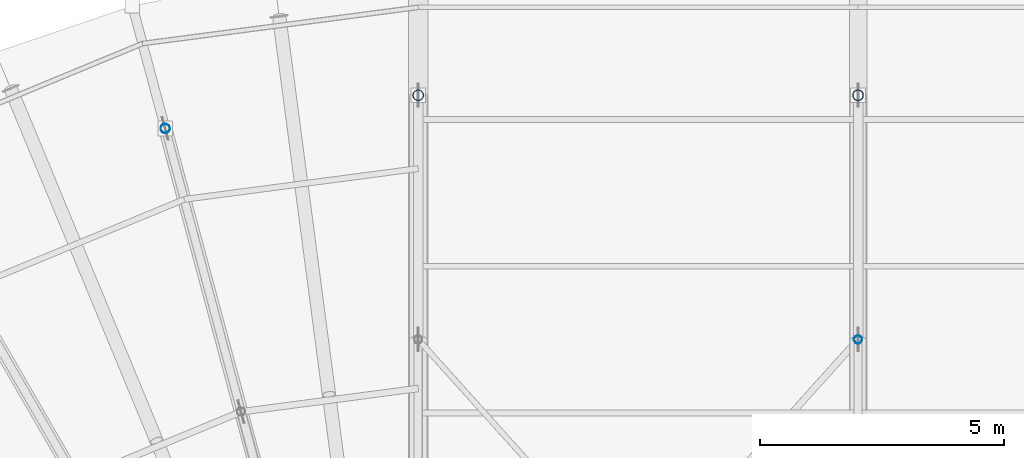
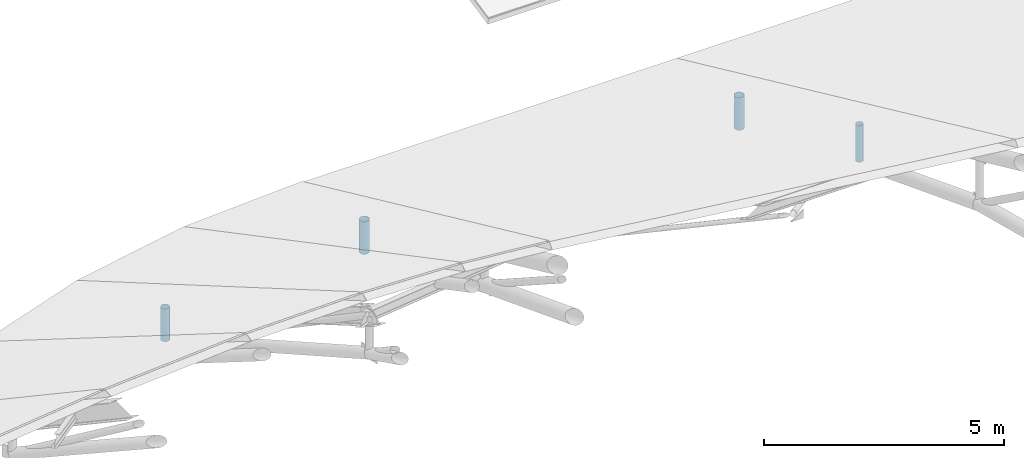
# One storey, part 77 of 107: 4 members.
"""IFC4 building model written with IfcOpenShell, lengths in metres."""

from ifc_helpers import new_model, si_unit, derived_unit, direction, frame, origin, origin_2d, place, context, subcontext, project, spatial, hollow_circle, extrude, material, material_profile, profile_set, type_object, element, save


model = new_model("IFC4")

# Units and contexts
model_context = context("Model", 3, precision=1e-05, world=origin(), true_north=direction((0.0, 1.0)))
body_context = subcontext(model_context, "Body", "Model", "MODEL_VIEW")
ifc_project = project(units=[si_unit("LENGTHUNIT", "METRE"), si_unit("AREAUNIT", "SQUARE_METRE"), si_unit("VOLUMEUNIT", "CUBIC_METRE"), si_unit("PLANEANGLEUNIT", "RADIAN"), si_unit("MASSUNIT", "GRAM", prefix="KILO"), si_unit("THERMODYNAMICTEMPERATUREUNIT", "KELVIN"), si_unit("TIMEUNIT", "SECOND"), derived_unit("THERMALTRANSMITTANCEUNIT", [(si_unit("MASSUNIT", "GRAM", prefix="KILO"), 1), (si_unit("THERMODYNAMICTEMPERATUREUNIT", "KELVIN"), -1), (si_unit("TIMEUNIT", "SECOND"), -3)])], contexts=[model_context])

# Site, building, storey
site_placement = place(None, origin())
site = spatial("IfcSite", under=ifc_project, at=site_placement, CompositionType="ELEMENT")
building_placement = place(site_placement, origin())
building = spatial("IfcBuilding", under=site, at=building_placement, Name="Cambertide Market Hall", CompositionType="ELEMENT")
storey_placement = place(building_placement, frame((0.0, 0.0, 18.300048828125)))
storey = spatial("IfcBuildingStorey", under=building, at=storey_placement, Name="RF", CompositionType="ELEMENT", Elevation=18.300048828125)

# Members
ifc_material_1 = material(Name="Steel S355", Category="steel")
ifc_material_profile_1 = material_profile(ifc_material_1, hollow_circle(Radius=0.084228515625, WallThickness=0.00634765625, at=origin_2d()), Name="CHS 168.3x6.3")
ifc_profile_set_1 = profile_set([ifc_material_profile_1], Name="Steel S355")
member_type_1 = type_object("IfcMemberType", Name="Structural Brace CHS 168.3x6.3", PredefinedType="BRACE", material=ifc_profile_set_1)
member_1_placement = place(storey_placement, frame((51.0, 87.0, -8.1767578125), z_axis=(0.0, 0.0, 1.0), x_axis=(1.0, 0.0, 0.0)))
element("IfcMember", 1, at=member_1_placement, inside=storey, type_object=member_type_1, Name="Roof Truss 2 Web Post 8", PredefinedType="BRACE", context=body_context, shape_type="SweptSolid", body=[
    extrude(hollow_circle(Radius=0.084228515625, WallThickness=0.00634765625, at=origin_2d()), origin(), (0.0, 0.0, 1.0), 0.9267578125),
])
ifc_material_2 = material(Name="Steel S355", Category="steel")
ifc_material_profile_2 = material_profile(ifc_material_2, hollow_circle(Radius=0.096923828125, WallThickness=0.00634765625, at=origin_2d()), Name="CHS 193.7x6.3")
ifc_profile_set_2 = profile_set([ifc_material_profile_2], Name="Steel S355")
member_type_2 = type_object("IfcMemberType", Name="Structural Brace CHS 193.7x6.3", PredefinedType="BRACE", material=ifc_profile_set_2)
member_2_placement = place(storey_placement, frame((36.82373046875, 91.318603515625, -10.380126953125), z_axis=(0.0, 0.0, 1.0), x_axis=(1.0, 0.0, 0.0)))
element("IfcMember", 2, at=member_2_placement, inside=storey, type_object=member_type_2, Name="RWV-W-02-V3", PredefinedType="BRACE", context=body_context, shape_type="SweptSolid", body=[
    extrude(hollow_circle(Radius=0.096923828125, WallThickness=0.00634765625, at=origin_2d()), origin(), (0.0, 0.0, 1.0), 0.830078125),
])
ifc_material_3 = material(Name="Steel S355", Category="steel")
ifc_material_profile_3 = material_profile(ifc_material_3, hollow_circle(Radius=0.109619140625, WallThickness=0.008056640625, at=origin_2d()), Name="CHS 219.1x8")
ifc_profile_set_3 = profile_set([ifc_material_profile_3], Name="Steel S355")
member_type_3 = type_object("IfcMemberType", Name="Structural Brace CHS 219.1x8", PredefinedType="BRACE", material=ifc_profile_set_3)
for number, where, z_axis, x_axis, name in (
    (3, (42.0, 92.0, -10.380126953125), (0.0, 0.0, 1.0), (1.0, 0.0, 0.0), "Roof Truss 1 Web Post 9"),
    (4, (51.0, 92.0, -10.380126953125), (0.0, 0.0, 1.0), (1.0, 0.0, 0.0), "Roof Truss 2 Web Post 9"),
):
    element("IfcMember", number, at=place(storey_placement, frame(where, z_axis=z_axis, x_axis=x_axis)), inside=storey, type_object=member_type_3, Name=name, PredefinedType="BRACE", context=body_context, shape_type="SweptSolid", body=[
        extrude(hollow_circle(Radius=0.109619140625, WallThickness=0.008056640625, at=origin_2d()), origin(), (0.0, 0.0, 1.0), 0.830078125),
    ])

save(model, "model.ifc")
